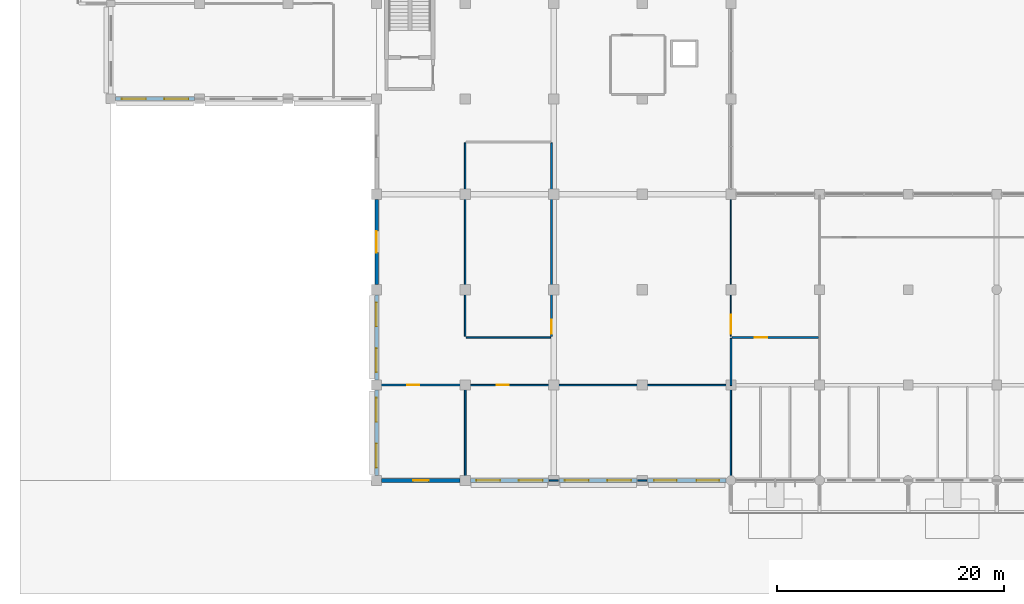
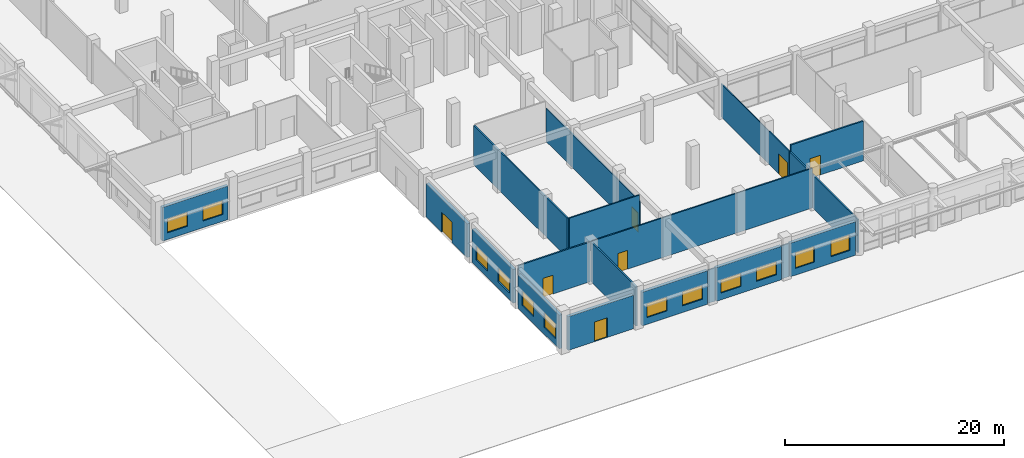
# One storey, part 46 of 74: 20 walls, 12 windows, 7 doors, 19 openings.
"""IFC4 building model written with IfcOpenShell, lengths in metres."""

from ifc_helpers import new_model, si_unit, direction, frame, frame_2d, origin, place, context, subcontext, project, spatial, rectangle, extrude, material, layer, layer_set, type_object, element, fill, save


model = new_model("IFC4")

# Units and contexts
model_context = context("Model", 3, precision=1e-05, world=origin(), true_north=direction((0.0, 1.0)))
body_context = subcontext(model_context, "Body", "Model", "MODEL_VIEW")
ifc_project = project(units=[si_unit("LENGTHUNIT", "METRE"), si_unit("AREAUNIT", "SQUARE_METRE"), si_unit("VOLUMEUNIT", "CUBIC_METRE"), si_unit("PLANEANGLEUNIT", "RADIAN"), si_unit("MASSUNIT", "GRAM", prefix="KILO"), si_unit("THERMODYNAMICTEMPERATUREUNIT", "KELVIN"), si_unit("POWERUNIT", "WATT")], contexts=[model_context])

# Site, building, storey
site_placement = place(None, origin())
site = spatial("IfcSite", under=ifc_project, at=site_placement, CompositionType="ELEMENT")
building_placement = place(site_placement, origin())
building = spatial("IfcBuilding", under=site, at=building_placement, Name="Srebrne Nadtorze General Hospital", CompositionType="ELEMENT")
storey_placement = place(building_placement, origin())
storey = spatial("IfcBuildingStorey", under=building, at=storey_placement, Name="L00", CompositionType="ELEMENT", Elevation=0.0)

# Wall, opening, door
ifc_material_1 = material(Name="Gypsum Healthcare Partition")
ifc_layer_1 = layer(ifc_material_1, 0.139892578125)
ifc_layer_set_1 = layer_set([ifc_layer_1], Name="Gypsum Healthcare Partition")
wall_type_1 = type_object("IfcWallType", Name="Clinical partition 140", PredefinedType="PARTITIONING", material=ifc_layer_set_1)
wall_1_placement = place(storey_placement, frame((31.284912109375, 8.39990234375, 0.0), z_axis=(0.0, 0.0, 1.0), x_axis=(1.0, 0.0, 0.0)))
wall_1 = element("IfcWall", 1, at=wall_1_placement, inside=storey, type_object=wall_type_1, Name="Emergency Walk-In Registration wall WL-INT-L00-1281", PredefinedType="PARTITIONING", context=body_context, shape_type="SweptSolid", body=[
    extrude(rectangle(XDim=23.22998046875, YDim=0.139892578125, at=frame_2d((11.614990234375, 0.0))), origin(), (0.0, 0.0, 1.0), 4.429931640625),
])
opening_1_placement = place(wall_1_placement, frame((2.6943359375, 0.0, 0.0)))
opening_1 = element("IfcOpeningElement", 2, at=opening_1_placement, cuts=wall_1, Name="Opening D-L00-0185", PredefinedType="OPENING", context=body_context, shape_type="SweptSolid", body=[
    extrude(rectangle(XDim=1.050048828125, YDim=2.10009765625, at=frame_2d((0.52490234375, 1.050048828125))), frame((0.0, 0.08203125, 0.0), z_axis=(0.0, -1.0, 0.0), x_axis=(1.0, 0.0, 0.0)), (0.0, 0.0, 1.0), 0.163818359375),
])
ifc_material_2 = material(Name="Anodised Aluminium", Category="aluminium")
door_type_1 = type_object("IfcDoorType", Name="Single leaf door 1050x2100", OperationType="NOTDEFINED", PredefinedType="DOOR", material=ifc_material_2)
door_1_placement = place(opening_1_placement, frame((1.050048828125, 0.0, 0.0), z_axis=(0.0, 0.0, 1.0), x_axis=(-1.0, 0.0, 0.0)))
door_1 = element("IfcDoor", 3, at=door_1_placement, inside=storey, type_object=door_type_1, Name="Emergency Walk-In Registration door D-L00-0185", OperationType="SINGLE_SWING_RIGHT", OverallHeight=2.10009765625, OverallWidth=1.050048828125, PredefinedType="DOOR", context=body_context, shape_type="SweptSolid", body=[
    extrude(rectangle(XDim=1.050048828125, YDim=2.10009765625, at=frame_2d((0.52490234375, 1.050048828125))), frame((0.0, 0.02490234375, 0.0), z_axis=(0.0, -1.0, 0.0), x_axis=(1.0, 0.0, 0.0)), (0.0, 0.0, 1.0), 0.050048828125),
])
fill(opening_1, door_1)

# Walls
wall_2_placement = place(storey_placement, frame((38.590087890625, 0.0, 0.0), z_axis=(0.0, 0.0, 1.0), x_axis=(1.0, 0.0, 0.0)))
element("IfcWall", 4, at=wall_2_placement, inside=storey, type_object=wall_type_1, Name="Emergency Walk-In Registration wall WL-INT-L00-1282", PredefinedType="PARTITIONING", context=body_context, shape_type="SweptSolid", body=[
    extrude(rectangle(XDim=0.81982421875, YDim=0.139892578125, at=frame_2d((0.409912109375, 0.0))), origin(), (0.0, 0.0, 1.0), 3.699951171875),
])
wall_3_placement = place(storey_placement, frame((46.389892578125, 0.0, 0.0), z_axis=(0.0, 0.0, 1.0), x_axis=(1.0, 0.0, 0.0)))
element("IfcWall", 5, at=wall_3_placement, inside=storey, type_object=wall_type_1, Name="Emergency Walk-In Registration wall WL-INT-L00-1283", PredefinedType="PARTITIONING", context=body_context, shape_type="SweptSolid", body=[
    extrude(rectangle(XDim=0.820068359375, YDim=0.139892578125, at=frame_2d((0.41015625, 0.0))), origin(), (0.0, 0.0, 1.0), 3.699951171875),
])
wall_4_placement = place(storey_placement, frame((54.60009765625, 0.0849609375, 0.0), z_axis=(0.0, 0.0, 1.0), x_axis=(0.0, 1.0, 0.0)))
element("IfcWall", 6, at=wall_4_placement, inside=storey, type_object=wall_type_1, Name="Emergency Walk-In Registration wall WL-INT-L00-1284", PredefinedType="PARTITIONING", context=body_context, shape_type="SweptSolid", body=[
    extrude(rectangle(XDim=8.22998046875, YDim=0.139892578125, at=frame_2d((4.114990234375, 0.0))), origin(), (0.0, 0.0, 1.0), 3.699951171875),
])

# Wall, opening, door
wall_5_placement = place(storey_placement, frame((38.800048828125, 12.68505859375, 0.0), z_axis=(0.0, 0.0, 1.0), x_axis=(0.0, 1.0, 0.0)))
wall_5 = element("IfcWall", 7, at=wall_5_placement, inside=storey, type_object=wall_type_1, Name="Chaplaincy and Quiet Reflection Room wall WL-INT-L00-1373", PredefinedType="PARTITIONING", context=body_context, shape_type="SweptSolid", body=[
    extrude(rectangle(XDim=17.030029296875, YDim=0.139892578125, at=frame_2d((8.51513671875, 0.0))), origin(), (0.0, 0.0, 1.0), 3.699951171875),
])
opening_2_placement = place(wall_5_placement, frame((0.25, 0.0, 0.0)))
opening_2 = element("IfcOpeningElement", 8, at=opening_2_placement, cuts=wall_5, Name="Opening D-L00-0209", PredefinedType="OPENING", context=body_context, shape_type="SweptSolid", body=[
    extrude(rectangle(XDim=1.199951171875, YDim=2.14990234375, at=frame_2d((0.60009765625, 1.074951171875))), frame((0.0, 0.08203125, 0.0), z_axis=(0.0, -1.0, 0.0), x_axis=(1.0, 0.0, 0.0)), (0.0, 0.0, 1.0), 0.163818359375),
])
ifc_material_3 = material(Name="Anodised Aluminium", Category="aluminium")
door_type_2 = type_object("IfcDoorType", Name="Single leaf door 1200x2150", OperationType="NOTDEFINED", PredefinedType="DOOR", material=ifc_material_3)
door_2_placement = place(opening_2_placement, origin())
door_2 = element("IfcDoor", 9, at=door_2_placement, inside=storey, type_object=door_type_2, Name="Chaplaincy and Quiet Reflection Room door D-L00-0209", OperationType="SINGLE_SWING_LEFT", OverallHeight=2.14990234375, OverallWidth=1.199951171875, PredefinedType="DOOR", context=body_context, shape_type="SweptSolid", body=[
    extrude(rectangle(XDim=1.199951171875, YDim=2.14990234375, at=frame_2d((0.60009765625, 1.074951171875))), frame((0.0, 0.02490234375, 0.0), z_axis=(0.0, -1.0, 0.0), x_axis=(1.0, 0.0, 0.0)), (0.0, 0.0, 1.0), 0.050048828125),
])
fill(opening_2, door_2)

# Walls
wall_6_placement = place(storey_placement, frame((31.284912109375, 12.60009765625, 0.0), z_axis=(0.0, 0.0, 1.0), x_axis=(1.0, 0.0, 0.0)))
element("IfcWall", 10, at=wall_6_placement, inside=storey, type_object=wall_type_1, Name="Chaplaincy and Quiet Reflection Room wall WL-INT-L00-1374", PredefinedType="PARTITIONING", context=body_context, shape_type="SweptSolid", body=[
    extrude(rectangle(XDim=7.43017578125, YDim=0.139892578125, at=frame_2d((3.715087890625, 0.0))), origin(), (0.0, 0.0, 1.0), 4.429931640625),
])
wall_7_placement = place(storey_placement, frame((31.199951171875, 12.68505859375, 0.0), z_axis=(0.0, 0.0, 1.0), x_axis=(0.0, 1.0, 0.0)))
element("IfcWall", 11, at=wall_7_placement, inside=storey, type_object=wall_type_1, Name="Chaplaincy and Quiet Reflection Room wall WL-INT-L00-1376", PredefinedType="PARTITIONING", context=body_context, shape_type="SweptSolid", body=[
    extrude(rectangle(XDim=17.030029296875, YDim=0.139892578125, at=frame_2d((8.51513671875, 0.0))), origin(), (0.0, 0.0, 1.0), 4.429931640625),
])

# Wall, opening, door
ifc_material_4 = material(Name="Gypsum Healthcare Partition")
ifc_layer_2 = layer(ifc_material_4, 0.159912109375)
ifc_layer_set_2 = layer_set([ifc_layer_2], Name="Gypsum Healthcare Partition")
wall_type_2 = type_object("IfcWallType", Name="Clinical partition 160", PredefinedType="PARTITIONING", material=ifc_layer_set_2)
wall_8_placement = place(storey_placement, frame((23.485107421875, 8.39990234375, 0.0), z_axis=(0.0, 0.0, 1.0), x_axis=(1.0, 0.0, 0.0)))
wall_8 = element("IfcWall", 12, at=wall_8_placement, inside=storey, type_object=wall_type_2, Name="Fire Control Room wall WL-INT-L00-1279", PredefinedType="PARTITIONING", context=body_context, shape_type="SweptSolid", body=[
    extrude(rectangle(XDim=7.6298828125, YDim=0.159912109375, at=frame_2d((3.81494140625, 0.0))), origin(), (0.0, 0.0, 1.0), 4.429931640625),
])
opening_3_placement = place(wall_8_placement, frame((2.614501953125, 0.0, 0.0)))
opening_3 = element("IfcOpeningElement", 13, at=opening_3_placement, cuts=wall_8, Name="Opening D-L00-0184", PredefinedType="OPENING", context=body_context, shape_type="SweptSolid", body=[
    extrude(rectangle(XDim=1.050048828125, YDim=2.10009765625, at=frame_2d((0.52490234375, 1.050048828125))), frame((0.0, 0.091796875, 0.0), z_axis=(0.0, -1.0, 0.0), x_axis=(1.0, 0.0, 0.0)), (0.0, 0.0, 1.0), 0.183837890625),
])
door_3_placement = place(opening_3_placement, frame((1.050048828125, 0.0, 0.0), z_axis=(0.0, 0.0, 1.0), x_axis=(-1.0, 0.0, 0.0)))
door_3 = element("IfcDoor", 14, at=door_3_placement, inside=storey, type_object=door_type_1, Name="Fire Control Room door D-L00-0184", OperationType="SINGLE_SWING_RIGHT", OverallHeight=2.10009765625, OverallWidth=1.050048828125, PredefinedType="DOOR", context=body_context, shape_type="SweptSolid", body=[
    extrude(rectangle(XDim=1.050048828125, YDim=2.10009765625, at=frame_2d((0.52490234375, 1.050048828125))), frame((0.0, 0.02490234375, 0.0), z_axis=(0.0, -1.0, 0.0), x_axis=(1.0, 0.0, 0.0)), (0.0, 0.0, 1.0), 0.050048828125),
])
fill(opening_3, door_3)

# Wall
wall_9_placement = place(storey_placement, frame((31.199951171875, 0.0849609375, 0.0), z_axis=(0.0, 0.0, 1.0), x_axis=(0.0, 1.0, 0.0)))
element("IfcWall", 15, at=wall_9_placement, inside=storey, type_object=wall_type_2, Name="Fire Control Room wall WL-INT-L00-1280", PredefinedType="PARTITIONING", context=body_context, shape_type="SweptSolid", body=[
    extrude(rectangle(XDim=8.22998046875, YDim=0.159912109375, at=frame_2d((4.114990234375, 0.0))), origin(), (0.0, 0.0, 1.0), 4.429931640625),
])

# Wall, opening, door
wall_10_placement = place(storey_placement, frame((54.68505859375, 12.60009765625, 0.0), z_axis=(0.0, 0.0, 1.0), x_axis=(1.0, 0.0, 0.0)))
wall_10 = element("IfcWall", 16, at=wall_10_placement, inside=storey, type_object=wall_type_2, Name="Hospital Cafe wall WL-INT-L00-1291", PredefinedType="PARTITIONING", context=body_context, shape_type="SweptSolid", body=[
    extrude(rectangle(XDim=7.6298828125, YDim=0.159912109375, at=frame_2d((3.81494140625, 0.0))), origin(), (0.0, 0.0, 1.0), 4.429931640625),
])
opening_4_placement = place(wall_10_placement, frame((2.0, 0.0, 0.0)))
opening_4 = element("IfcOpeningElement", 17, at=opening_4_placement, cuts=wall_10, Name="Opening D-L00-0187", PredefinedType="OPENING", context=body_context, shape_type="SweptSolid", body=[
    extrude(rectangle(XDim=1.1201171875, YDim=2.199951171875, at=frame_2d((0.56005859375, 1.10009765625))), frame((0.0, 0.091796875, 0.0), z_axis=(0.0, -1.0, 0.0), x_axis=(1.0, 0.0, 0.0)), (0.0, 0.0, 1.0), 0.183837890625),
])
ifc_material_5 = material(Name="Anodised Aluminium", Category="aluminium")
door_type_3 = type_object("IfcDoorType", Name="Single leaf door 1120x2200", OperationType="NOTDEFINED", PredefinedType="DOOR", material=ifc_material_5)
door_4_placement = place(opening_4_placement, frame((1.1201171875, 0.0, 0.0), z_axis=(0.0, 0.0, 1.0), x_axis=(-1.0, 0.0, 0.0)))
door_4 = element("IfcDoor", 18, at=door_4_placement, inside=storey, type_object=door_type_3, Name="Hospital Cafe door D-L00-0187", OperationType="SINGLE_SWING_RIGHT", OverallHeight=2.199951171875, OverallWidth=1.1201171875, PredefinedType="DOOR", context=body_context, shape_type="SweptSolid", body=[
    extrude(rectangle(XDim=1.1201171875, YDim=2.199951171875, at=frame_2d((0.56005859375, 1.10009765625))), frame((0.0, 0.02490234375, 0.0), z_axis=(0.0, -1.0, 0.0), x_axis=(1.0, 0.0, 0.0)), (0.0, 0.0, 1.0), 0.050048828125),
])
fill(opening_4, door_4)

# Wall
wall_11_placement = place(storey_placement, frame((54.60009765625, 8.35498046875, 0.0), z_axis=(0.0, 0.0, 1.0), x_axis=(0.0, 1.0, 0.0)))
element("IfcWall", 19, at=wall_11_placement, inside=storey, type_object=wall_type_2, Name="Hospital Cafe wall WL-INT-L00-1292", PredefinedType="PARTITIONING", context=body_context, shape_type="SweptSolid", body=[
    extrude(rectangle(XDim=4.159912109375, YDim=0.159912109375, at=frame_2d((2.080078125, 0.0))), origin(), (0.0, 0.0, 1.0), 3.699951171875),
])

# Wall, opening, door
ifc_material_6 = material(Name="Gypsum Healthcare Partition")
ifc_layer_3 = layer(ifc_material_6, 0.10009765625)
ifc_layer_set_3 = layer_set([ifc_layer_3], Name="Gypsum Healthcare Partition")
wall_type_3 = type_object("IfcWallType", Name="Shaft lining wall 100", PredefinedType="PARTITIONING", material=ifc_layer_set_3)
wall_12_placement = place(storey_placement, frame((54.60009765625, 12.68505859375, 0.0), z_axis=(0.0, 0.0, 1.0), x_axis=(0.0, 1.0, 0.0)))
wall_12 = element("IfcWall", 20, at=wall_12_placement, inside=storey, type_object=wall_type_3, Name="Community Health Room wall WL-INT-L00-1295", PredefinedType="PARTITIONING", context=body_context, shape_type="SweptSolid", body=[
    extrude(rectangle(XDim=12.429931640625, YDim=0.10009765625, at=frame_2d((6.21484375, 0.0))), origin(), (0.0, 0.0, 1.0), 3.699951171875),
])
opening_5_placement = place(wall_12_placement, frame((0.25, 0.0, 0.0)))
opening_5 = element("IfcOpeningElement", 21, at=opening_5_placement, cuts=wall_12, Name="Opening D-L00-0189", PredefinedType="OPENING", context=body_context, shape_type="SweptSolid", body=[
    extrude(rectangle(XDim=1.64990234375, YDim=2.25, at=frame_2d((0.824951171875, 1.125))), frame((0.0, 0.06201171875, 0.0), z_axis=(0.0, -1.0, 0.0), x_axis=(1.0, 0.0, 0.0)), (0.0, 0.0, 1.0), 0.1240234375),
])
ifc_material_7 = material(Name="Anodised Aluminium", Category="aluminium")
door_type_4 = type_object("IfcDoorType", Name="Double leaf door 1650x2250", OperationType="DOUBLE_DOOR_SINGLE_SWING", PredefinedType="DOOR", material=ifc_material_7)
door_5_placement = place(opening_5_placement, frame((1.64990234375, 0.0, 0.0), z_axis=(0.0, 0.0, 1.0), x_axis=(-1.0, 0.0, 0.0)))
door_5 = element("IfcDoor", 22, at=door_5_placement, inside=storey, type_object=door_type_4, Name="Community Health Room door D-L00-0189", OperationType="DOUBLE_DOOR_SINGLE_SWING", OverallHeight=2.25, OverallWidth=1.64990234375, PredefinedType="DOOR", context=body_context, shape_type="SweptSolid", body=[
    extrude(rectangle(XDim=1.64990234375, YDim=2.25, at=frame_2d((0.824951171875, 1.125))), frame((0.0, 0.02490234375, 0.0), z_axis=(0.0, -1.0, 0.0), x_axis=(1.0, 0.0, 0.0)), (0.0, 0.0, 1.0), 0.050048828125),
])
fill(opening_5, door_5)

ifc_material_8 = material(Name="Concrete C35/45", Category="concrete")
ifc_layer_4 = layer(ifc_material_8, 0.320068359375)
ifc_layer_set_4 = layer_set([ifc_layer_4], Name="Concrete C35/45")
wall_type_4 = type_object("IfcWallType", Name="Spandrel wall 320", PredefinedType="STANDARD", material=ifc_layer_set_4)
wall_13_placement = place(storey_placement, frame((23.85009765625, 0.0, 0.0), z_axis=(0.0, 0.0, 1.0), x_axis=(1.0, 0.0, 0.0)))
wall_13 = element("IfcWall", 23, at=wall_13_placement, inside=storey, type_object=wall_type_4, Name="Exterior wall WL-ENV-L00-0077", PredefinedType="STANDARD", context=body_context, shape_type="SweptSolid", body=[
    extrude(rectangle(XDim=6.89990234375, YDim=0.320068359375, at=frame_2d((3.449951171875, 0.0))), origin(), (0.0, 0.0, 1.0), 3.75),
])
opening_6_placement = place(wall_13_placement, frame((2.77490234375, 0.0, 0.0)))
opening_6 = element("IfcOpeningElement", 24, at=opening_6_placement, cuts=wall_13, Name="Opening D-L00-E001", PredefinedType="OPENING", context=body_context, shape_type="SweptSolid", body=[
    extrude(rectangle(XDim=1.35009765625, YDim=2.199951171875, at=frame_2d((0.675048828125, 1.10009765625))), frame((0.0, 0.171875, 0.0), z_axis=(0.0, -1.0, 0.0), x_axis=(1.0, 0.0, 0.0)), (0.0, 0.0, 1.0), 0.343994140625),
])
ifc_material_9 = material(Name="Anodised Aluminium", Category="aluminium")
door_type_5 = type_object("IfcDoorType", Name="Single leaf door 1350x2200", OperationType="NOTDEFINED", PredefinedType="DOOR", material=ifc_material_9)
door_6_placement = place(opening_6_placement, frame((1.35009765625, 0.0, 0.0), z_axis=(0.0, 0.0, 1.0), x_axis=(-1.0, 0.0, 0.0)))
door_6 = element("IfcDoor", 25, at=door_6_placement, inside=storey, type_object=door_type_5, Name="Exterior door D-L00-E001", OperationType="SINGLE_SWING_LEFT", OverallHeight=2.199951171875, OverallWidth=1.35009765625, PredefinedType="DOOR", context=body_context, shape_type="SweptSolid", body=[
    extrude(rectangle(XDim=1.35009765625, YDim=2.199951171875, at=frame_2d((0.675048828125, 1.10009765625))), frame((0.0, 0.02490234375, 0.0), z_axis=(0.0, -1.0, 0.0), x_axis=(1.0, 0.0, 0.0)), (0.0, 0.0, 1.0), 0.050048828125),
])
fill(opening_6, door_6)

# Wall, openings, windows
wall_14_placement = place(storey_placement, frame((31.64990234375, 0.0, 0.0), z_axis=(0.0, 0.0, 1.0), x_axis=(1.0, 0.0, 0.0)))
wall_14 = element("IfcWall", 26, at=wall_14_placement, inside=storey, type_object=wall_type_4, Name="Exterior wall WL-ENV-L00-0078", PredefinedType="STANDARD", context=body_context, shape_type="SweptSolid", body=[
    extrude(rectangle(XDim=6.900146484375, YDim=0.320068359375, at=frame_2d((3.4501953125, 0.0))), origin(), (0.0, 0.0, 1.0), 3.75),
])
opening_7_placement = place(wall_14_placement, frame((0.528076171875, 0.0, 0.75)))
opening_7 = element("IfcOpeningElement", 27, at=opening_7_placement, cuts=wall_14, Name="Opening WN-L00-0001", PredefinedType="OPENING", context=body_context, shape_type="SweptSolid", body=[
    extrude(rectangle(XDim=2.10009765625, YDim=1.550048828125, at=frame_2d((1.050048828125, 0.77490234375))), frame((0.0, 0.171875, 0.0), z_axis=(0.0, -1.0, 0.0), x_axis=(1.0, 0.0, 0.0)), (0.0, 0.0, 1.0), 0.343994140625),
])
opening_8_placement = place(wall_14_placement, frame((4.27197265625, 0.0, 0.75)))
opening_8 = element("IfcOpeningElement", 28, at=opening_8_placement, cuts=wall_14, Name="Opening WN-L00-0002", PredefinedType="OPENING", context=body_context, shape_type="SweptSolid", body=[
    extrude(rectangle(XDim=2.10009765625, YDim=1.550048828125, at=frame_2d((1.050048828125, 0.77490234375))), frame((0.0, 0.171875, 0.0), z_axis=(0.0, -1.0, 0.0), x_axis=(1.0, 0.0, 0.0)), (0.0, 0.0, 1.0), 0.343994140625),
])
ifc_material_10 = material(Name="Triple Low-E Glazing", Category="glass")
window_type_1 = type_object("IfcWindowType", Name="Punched clinical window 2100x1550", PartitioningType="DOUBLE_PANEL_VERTICAL", PredefinedType="WINDOW", material=ifc_material_10)
window_1_placement = place(opening_7_placement, origin())
window_1 = element("IfcWindow", 29, at=window_1_placement, inside=storey, type_object=window_type_1, Name="Clinical window WN-L00-0001", OverallHeight=1.550048828125, OverallWidth=2.10009765625, PartitioningType="DOUBLE_PANEL_VERTICAL", PredefinedType="WINDOW", context=body_context, shape_type="SweptSolid", body=[
    extrude(rectangle(XDim=2.10009765625, YDim=1.550048828125, at=frame_2d((1.050048828125, 0.77490234375))), frame((0.0, 0.030029296875, 0.0), z_axis=(0.0, -1.0, 0.0), x_axis=(1.0, 0.0, 0.0)), (0.0, 0.0, 1.0), 0.06005859375),
])
fill(opening_7, window_1)
window_2_placement = place(opening_8_placement, origin())
window_2 = element("IfcWindow", 30, at=window_2_placement, inside=storey, type_object=window_type_1, Name="Clinical window WN-L00-0002", OverallHeight=1.550048828125, OverallWidth=2.10009765625, PartitioningType="DOUBLE_PANEL_VERTICAL", PredefinedType="WINDOW", context=body_context, shape_type="SweptSolid", body=[
    extrude(rectangle(XDim=2.10009765625, YDim=1.550048828125, at=frame_2d((1.050048828125, 0.77490234375))), frame((0.0, 0.030029296875, 0.0), z_axis=(0.0, -1.0, 0.0), x_axis=(1.0, 0.0, 0.0)), (0.0, 0.0, 1.0), 0.06005859375),
])
fill(opening_8, window_2)

wall_15_placement = place(storey_placement, frame((39.449951171875, 0.0, 0.0), z_axis=(0.0, 0.0, 1.0), x_axis=(1.0, 0.0, 0.0)))
wall_15 = element("IfcWall", 31, at=wall_15_placement, inside=storey, type_object=wall_type_4, Name="Exterior wall WL-ENV-L00-0079", PredefinedType="STANDARD", context=body_context, shape_type="SweptSolid", body=[
    extrude(rectangle(XDim=6.900146484375, YDim=0.320068359375, at=frame_2d((3.4501953125, 0.0))), origin(), (0.0, 0.0, 1.0), 3.75),
])
opening_9_placement = place(wall_15_placement, frame((0.528076171875, 0.0, 0.75)))
opening_9 = element("IfcOpeningElement", 32, at=opening_9_placement, cuts=wall_15, Name="Opening WN-L00-0003", PredefinedType="OPENING", context=body_context, shape_type="SweptSolid", body=[
    extrude(rectangle(XDim=2.10009765625, YDim=1.449951171875, at=frame_2d((1.050048828125, 0.72509765625))), frame((0.0, 0.171875, 0.0), z_axis=(0.0, -1.0, 0.0), x_axis=(1.0, 0.0, 0.0)), (0.0, 0.0, 1.0), 0.343994140625),
])
opening_10_placement = place(wall_15_placement, frame((4.27197265625, 0.0, 0.75)))
opening_10 = element("IfcOpeningElement", 33, at=opening_10_placement, cuts=wall_15, Name="Opening WN-L00-0004", PredefinedType="OPENING", context=body_context, shape_type="SweptSolid", body=[
    extrude(rectangle(XDim=2.10009765625, YDim=1.449951171875, at=frame_2d((1.050048828125, 0.72509765625))), frame((0.0, 0.171875, 0.0), z_axis=(0.0, -1.0, 0.0), x_axis=(1.0, 0.0, 0.0)), (0.0, 0.0, 1.0), 0.343994140625),
])
ifc_material_11 = material(Name="Triple Low-E Glazing", Category="glass")
window_type_2 = type_object("IfcWindowType", Name="Punched clinical window 2100x1450", PartitioningType="DOUBLE_PANEL_VERTICAL", PredefinedType="WINDOW", material=ifc_material_11)
window_3_placement = place(opening_9_placement, origin())
window_3 = element("IfcWindow", 34, at=window_3_placement, inside=storey, type_object=window_type_2, Name="Clinical window WN-L00-0003", OverallHeight=1.449951171875, OverallWidth=2.10009765625, PartitioningType="DOUBLE_PANEL_VERTICAL", PredefinedType="WINDOW", context=body_context, shape_type="SweptSolid", body=[
    extrude(rectangle(XDim=2.10009765625, YDim=1.449951171875, at=frame_2d((1.050048828125, 0.72509765625))), frame((0.0, 0.030029296875, 0.0), z_axis=(0.0, -1.0, 0.0), x_axis=(1.0, 0.0, 0.0)), (0.0, 0.0, 1.0), 0.06005859375),
])
fill(opening_9, window_3)
window_4_placement = place(opening_10_placement, origin())
window_4 = element("IfcWindow", 35, at=window_4_placement, inside=storey, type_object=window_type_2, Name="Clinical window WN-L00-0004", OverallHeight=1.449951171875, OverallWidth=2.10009765625, PartitioningType="DOUBLE_PANEL_VERTICAL", PredefinedType="WINDOW", context=body_context, shape_type="SweptSolid", body=[
    extrude(rectangle(XDim=2.10009765625, YDim=1.449951171875, at=frame_2d((1.050048828125, 0.72509765625))), frame((0.0, 0.030029296875, 0.0), z_axis=(0.0, -1.0, 0.0), x_axis=(1.0, 0.0, 0.0)), (0.0, 0.0, 1.0), 0.06005859375),
])
fill(opening_10, window_4)

wall_16_placement = place(storey_placement, frame((47.25, 0.0, 0.0), z_axis=(0.0, 0.0, 1.0), x_axis=(1.0, 0.0, 0.0)))
wall_16 = element("IfcWall", 36, at=wall_16_placement, inside=storey, type_object=wall_type_4, Name="Exterior wall WL-ENV-L00-0080", PredefinedType="STANDARD", context=body_context, shape_type="SweptSolid", body=[
    extrude(rectangle(XDim=6.925048828125, YDim=0.320068359375, at=frame_2d((3.46240234375, 0.0))), origin(), (0.0, 0.0, 1.0), 3.75),
])
opening_11_placement = place(wall_16_placement, frame((0.577880859375, 0.0, 0.75)))
opening_11 = element("IfcOpeningElement", 37, at=opening_11_placement, cuts=wall_16, Name="Opening WN-L00-0005", PredefinedType="OPENING", context=body_context, shape_type="SweptSolid", body=[
    extrude(rectangle(XDim=2.0, YDim=1.75, at=frame_2d((1.0, 0.875))), frame((0.0, 0.171875, 0.0), z_axis=(0.0, -1.0, 0.0), x_axis=(1.0, 0.0, 0.0)), (0.0, 0.0, 1.0), 0.343994140625),
])
opening_12_placement = place(wall_16_placement, frame((4.322021484375, 0.0, 0.75)))
opening_12 = element("IfcOpeningElement", 38, at=opening_12_placement, cuts=wall_16, Name="Opening WN-L00-0006", PredefinedType="OPENING", context=body_context, shape_type="SweptSolid", body=[
    extrude(rectangle(XDim=2.0, YDim=1.75, at=frame_2d((1.0, 0.875))), frame((0.0, 0.171875, 0.0), z_axis=(0.0, -1.0, 0.0), x_axis=(1.0, 0.0, 0.0)), (0.0, 0.0, 1.0), 0.343994140625),
])
ifc_material_12 = material(Name="Triple Low-E Glazing", Category="glass")
window_type_3 = type_object("IfcWindowType", Name="Punched clinical window 2000x1750", PartitioningType="DOUBLE_PANEL_VERTICAL", PredefinedType="WINDOW", material=ifc_material_12)
window_5_placement = place(opening_11_placement, origin())
window_5 = element("IfcWindow", 39, at=window_5_placement, inside=storey, type_object=window_type_3, Name="Clinical window WN-L00-0005", OverallHeight=1.75, OverallWidth=2.0, PartitioningType="DOUBLE_PANEL_VERTICAL", PredefinedType="WINDOW", context=body_context, shape_type="SweptSolid", body=[
    extrude(rectangle(XDim=2.0, YDim=1.75, at=frame_2d((1.0, 0.875))), frame((0.0, 0.030029296875, 0.0), z_axis=(0.0, -1.0, 0.0), x_axis=(1.0, 0.0, 0.0)), (0.0, 0.0, 1.0), 0.06005859375),
])
fill(opening_11, window_5)
window_6_placement = place(opening_12_placement, origin())
window_6 = element("IfcWindow", 40, at=window_6_placement, inside=storey, type_object=window_type_3, Name="Clinical window WN-L00-0006", OverallHeight=1.75, OverallWidth=2.0, PartitioningType="DOUBLE_PANEL_VERTICAL", PredefinedType="WINDOW", context=body_context, shape_type="SweptSolid", body=[
    extrude(rectangle(XDim=2.0, YDim=1.75, at=frame_2d((1.0, 0.875))), frame((0.0, 0.030029296875, 0.0), z_axis=(0.0, -1.0, 0.0), x_axis=(1.0, 0.0, 0.0)), (0.0, 0.0, 1.0), 0.06005859375),
])
fill(opening_12, window_6)

wall_17_placement = place(storey_placement, frame((0.425048828125, 33.60009765625, 0.0), z_axis=(0.0, 0.0, 1.0), x_axis=(1.0, 0.0, 0.0)))
wall_17 = element("IfcWall", 41, at=wall_17_placement, inside=storey, type_object=wall_type_4, Name="Exterior wall WL-ENV-L00-0091", PredefinedType="STANDARD", context=body_context, shape_type="SweptSolid", body=[
    extrude(rectangle(XDim=6.949951171875, YDim=0.320068359375, at=frame_2d((3.47509765625, 0.0))), origin(), (0.0, 0.0, 1.0), 3.75),
])
opening_13_placement = place(wall_17_placement, frame((0.552978515625, 0.0, 0.75)))
opening_13 = element("IfcOpeningElement", 42, at=opening_13_placement, cuts=wall_17, Name="Opening WN-L00-0030", PredefinedType="OPENING", context=body_context, shape_type="SweptSolid", body=[
    extrude(rectangle(XDim=2.10009765625, YDim=1.550048828125, at=frame_2d((1.050048828125, 0.77490234375))), frame((0.0, 0.171875, 0.0), z_axis=(0.0, -1.0, 0.0), x_axis=(1.0, 0.0, 0.0)), (0.0, 0.0, 1.0), 0.343994140625),
])
opening_14_placement = place(wall_17_placement, frame((4.297119140625, 0.0, 0.75)))
opening_14 = element("IfcOpeningElement", 43, at=opening_14_placement, cuts=wall_17, Name="Opening WN-L00-0031", PredefinedType="OPENING", context=body_context, shape_type="SweptSolid", body=[
    extrude(rectangle(XDim=2.10009765625, YDim=1.550048828125, at=frame_2d((1.050048828125, 0.77490234375))), frame((0.0, 0.171875, 0.0), z_axis=(0.0, -1.0, 0.0), x_axis=(1.0, 0.0, 0.0)), (0.0, 0.0, 1.0), 0.343994140625),
])
window_7_placement = place(opening_13_placement, origin())
window_7 = element("IfcWindow", 44, at=window_7_placement, inside=storey, type_object=window_type_1, Name="Clinical window WN-L00-0030", OverallHeight=1.550048828125, OverallWidth=2.10009765625, PartitioningType="DOUBLE_PANEL_VERTICAL", PredefinedType="WINDOW", context=body_context, shape_type="SweptSolid", body=[
    extrude(rectangle(XDim=2.10009765625, YDim=1.550048828125, at=frame_2d((1.050048828125, 0.77490234375))), frame((0.0, 0.030029296875, 0.0), z_axis=(0.0, -1.0, 0.0), x_axis=(1.0, 0.0, 0.0)), (0.0, 0.0, 1.0), 0.06005859375),
])
fill(opening_13, window_7)
window_8_placement = place(opening_14_placement, origin())
window_8 = element("IfcWindow", 45, at=window_8_placement, inside=storey, type_object=window_type_1, Name="Clinical window WN-L00-0031", OverallHeight=1.550048828125, OverallWidth=2.10009765625, PartitioningType="DOUBLE_PANEL_VERTICAL", PredefinedType="WINDOW", context=body_context, shape_type="SweptSolid", body=[
    extrude(rectangle(XDim=2.10009765625, YDim=1.550048828125, at=frame_2d((1.050048828125, 0.77490234375))), frame((0.0, 0.030029296875, 0.0), z_axis=(0.0, -1.0, 0.0), x_axis=(1.0, 0.0, 0.0)), (0.0, 0.0, 1.0), 0.06005859375),
])
fill(opening_14, window_8)

wall_18_placement = place(storey_placement, frame((23.39990234375, 0.449951171875, 0.0), z_axis=(0.0, 0.0, 1.0), x_axis=(0.0, 1.0, 0.0)))
wall_18 = element("IfcWall", 46, at=wall_18_placement, inside=storey, type_object=wall_type_4, Name="Exterior wall WL-ENV-L00-0125", PredefinedType="STANDARD", context=body_context, shape_type="SweptSolid", body=[
    extrude(rectangle(XDim=7.5, YDim=0.320068359375, at=frame_2d((3.75, 0.0))), origin(), (0.0, 0.0, 1.0), 3.75),
])
opening_15_placement = place(wall_18_placement, frame((0.68408203125, 0.0, 0.75)))
opening_15 = element("IfcOpeningElement", 47, at=opening_15_placement, cuts=wall_18, Name="Opening WN-L00-0077", PredefinedType="OPENING", context=body_context, shape_type="SweptSolid", body=[
    extrude(rectangle(XDim=2.10009765625, YDim=1.64990234375, at=frame_2d((1.050048828125, 0.824951171875))), frame((0.0, 0.171875, 0.0), z_axis=(0.0, -1.0, 0.0), x_axis=(1.0, 0.0, 0.0)), (0.0, 0.0, 1.0), 0.343994140625),
])
opening_16_placement = place(wall_18_placement, frame((4.716064453125, 0.0, 0.75)))
opening_16 = element("IfcOpeningElement", 48, at=opening_16_placement, cuts=wall_18, Name="Opening WN-L00-0078", PredefinedType="OPENING", context=body_context, shape_type="SweptSolid", body=[
    extrude(rectangle(XDim=2.10009765625, YDim=1.64990234375, at=frame_2d((1.050048828125, 0.824951171875))), frame((0.0, 0.171875, 0.0), z_axis=(0.0, -1.0, 0.0), x_axis=(1.0, 0.0, 0.0)), (0.0, 0.0, 1.0), 0.343994140625),
])
ifc_material_13 = material(Name="Triple Low-E Glazing", Category="glass")
window_type_4 = type_object("IfcWindowType", Name="Punched clinical window 2100x1650", PartitioningType="DOUBLE_PANEL_VERTICAL", PredefinedType="WINDOW", material=ifc_material_13)
window_9_placement = place(opening_15_placement, origin())
window_9 = element("IfcWindow", 49, at=window_9_placement, inside=storey, type_object=window_type_4, Name="Clinical window WN-L00-0077", OverallHeight=1.64990234375, OverallWidth=2.10009765625, PartitioningType="DOUBLE_PANEL_VERTICAL", PredefinedType="WINDOW", context=body_context, shape_type="SweptSolid", body=[
    extrude(rectangle(XDim=2.10009765625, YDim=1.64990234375, at=frame_2d((1.050048828125, 0.824951171875))), frame((0.0, 0.030029296875, 0.0), z_axis=(0.0, -1.0, 0.0), x_axis=(1.0, 0.0, 0.0)), (0.0, 0.0, 1.0), 0.06005859375),
])
fill(opening_15, window_9)
window_10_placement = place(opening_16_placement, origin())
window_10 = element("IfcWindow", 50, at=window_10_placement, inside=storey, type_object=window_type_4, Name="Clinical window WN-L00-0078", OverallHeight=1.64990234375, OverallWidth=2.10009765625, PartitioningType="DOUBLE_PANEL_VERTICAL", PredefinedType="WINDOW", context=body_context, shape_type="SweptSolid", body=[
    extrude(rectangle(XDim=2.10009765625, YDim=1.64990234375, at=frame_2d((1.050048828125, 0.824951171875))), frame((0.0, 0.030029296875, 0.0), z_axis=(0.0, -1.0, 0.0), x_axis=(1.0, 0.0, 0.0)), (0.0, 0.0, 1.0), 0.06005859375),
])
fill(opening_16, window_10)

wall_19_placement = place(storey_placement, frame((23.39990234375, 8.85009765625, 0.0), z_axis=(0.0, 0.0, 1.0), x_axis=(0.0, 1.0, 0.0)))
wall_19 = element("IfcWall", 51, at=wall_19_placement, inside=storey, type_object=wall_type_4, Name="Exterior wall WL-ENV-L00-0126", PredefinedType="STANDARD", context=body_context, shape_type="SweptSolid", body=[
    extrude(rectangle(XDim=7.5, YDim=0.320068359375, at=frame_2d((3.75, 0.0))), origin(), (0.0, 0.0, 1.0), 3.75),
])
opening_17_placement = place(wall_19_placement, frame((0.68408203125, 0.0, 0.75)))
opening_17 = element("IfcOpeningElement", 52, at=opening_17_placement, cuts=wall_19, Name="Opening WN-L00-0079", PredefinedType="OPENING", context=body_context, shape_type="SweptSolid", body=[
    extrude(rectangle(XDim=2.10009765625, YDim=1.550048828125, at=frame_2d((1.050048828125, 0.77490234375))), frame((0.0, 0.171875, 0.0), z_axis=(0.0, -1.0, 0.0), x_axis=(1.0, 0.0, 0.0)), (0.0, 0.0, 1.0), 0.343994140625),
])
opening_18_placement = place(wall_19_placement, frame((4.716064453125, 0.0, 0.75)))
opening_18 = element("IfcOpeningElement", 53, at=opening_18_placement, cuts=wall_19, Name="Opening WN-L00-0080", PredefinedType="OPENING", context=body_context, shape_type="SweptSolid", body=[
    extrude(rectangle(XDim=2.10009765625, YDim=1.550048828125, at=frame_2d((1.050048828125, 0.77490234375))), frame((0.0, 0.171875, 0.0), z_axis=(0.0, -1.0, 0.0), x_axis=(1.0, 0.0, 0.0)), (0.0, 0.0, 1.0), 0.343994140625),
])
window_11_placement = place(opening_17_placement, origin())
window_11 = element("IfcWindow", 54, at=window_11_placement, inside=storey, type_object=window_type_1, Name="Clinical window WN-L00-0079", OverallHeight=1.550048828125, OverallWidth=2.10009765625, PartitioningType="DOUBLE_PANEL_VERTICAL", PredefinedType="WINDOW", context=body_context, shape_type="SweptSolid", body=[
    extrude(rectangle(XDim=2.10009765625, YDim=1.550048828125, at=frame_2d((1.050048828125, 0.77490234375))), frame((0.0, 0.030029296875, 0.0), z_axis=(0.0, -1.0, 0.0), x_axis=(1.0, 0.0, 0.0)), (0.0, 0.0, 1.0), 0.06005859375),
])
fill(opening_17, window_11)
window_12_placement = place(opening_18_placement, origin())
window_12 = element("IfcWindow", 55, at=window_12_placement, inside=storey, type_object=window_type_1, Name="Clinical window WN-L00-0080", OverallHeight=1.550048828125, OverallWidth=2.10009765625, PartitioningType="DOUBLE_PANEL_VERTICAL", PredefinedType="WINDOW", context=body_context, shape_type="SweptSolid", body=[
    extrude(rectangle(XDim=2.10009765625, YDim=1.550048828125, at=frame_2d((1.050048828125, 0.77490234375))), frame((0.0, 0.030029296875, 0.0), z_axis=(0.0, -1.0, 0.0), x_axis=(1.0, 0.0, 0.0)), (0.0, 0.0, 1.0), 0.06005859375),
])
fill(opening_18, window_12)

# Wall, opening, door
wall_20_placement = place(storey_placement, frame((23.39990234375, 17.25, 0.0), z_axis=(0.0, 0.0, 1.0), x_axis=(0.0, 1.0, 0.0)))
wall_20 = element("IfcWall", 56, at=wall_20_placement, inside=storey, type_object=wall_type_4, Name="Exterior wall WL-ENV-L00-0127", PredefinedType="STANDARD", context=body_context, shape_type="SweptSolid", body=[
    extrude(rectangle(XDim=7.5, YDim=0.320068359375, at=frame_2d((3.75, 0.0))), origin(), (0.0, 0.0, 1.0), 3.75),
])
opening_19_placement = place(wall_20_placement, frame((2.800048828125, 0.0, 0.0)))
opening_19 = element("IfcOpeningElement", 57, at=opening_19_placement, cuts=wall_20, Name="Opening D-L00-E013", PredefinedType="OPENING", context=body_context, shape_type="SweptSolid", body=[
    extrude(rectangle(XDim=1.89990234375, YDim=2.25, at=frame_2d((0.949951171875, 1.125))), frame((0.0, 0.171875, 0.0), z_axis=(0.0, -1.0, 0.0), x_axis=(1.0, 0.0, 0.0)), (0.0, 0.0, 1.0), 0.343994140625),
])
ifc_material_14 = material(Name="Anodised Aluminium", Category="aluminium")
door_type_6 = type_object("IfcDoorType", Name="Double leaf door 1900x2250", OperationType="DOUBLE_DOOR_SINGLE_SWING", PredefinedType="DOOR", material=ifc_material_14)
door_7_placement = place(opening_19_placement, origin())
door_7 = element("IfcDoor", 58, at=door_7_placement, inside=storey, type_object=door_type_6, Name="Exterior door D-L00-E013", OperationType="DOUBLE_DOOR_SINGLE_SWING", OverallHeight=2.25, OverallWidth=1.89990234375, PredefinedType="DOOR", context=body_context, shape_type="SweptSolid", body=[
    extrude(rectangle(XDim=1.89990234375, YDim=2.25, at=frame_2d((0.949951171875, 1.125))), frame((0.0, 0.02490234375, 0.0), z_axis=(0.0, -1.0, 0.0), x_axis=(1.0, 0.0, 0.0)), (0.0, 0.0, 1.0), 0.050048828125),
])
fill(opening_19, door_7)

save(model, "model.ifc")
